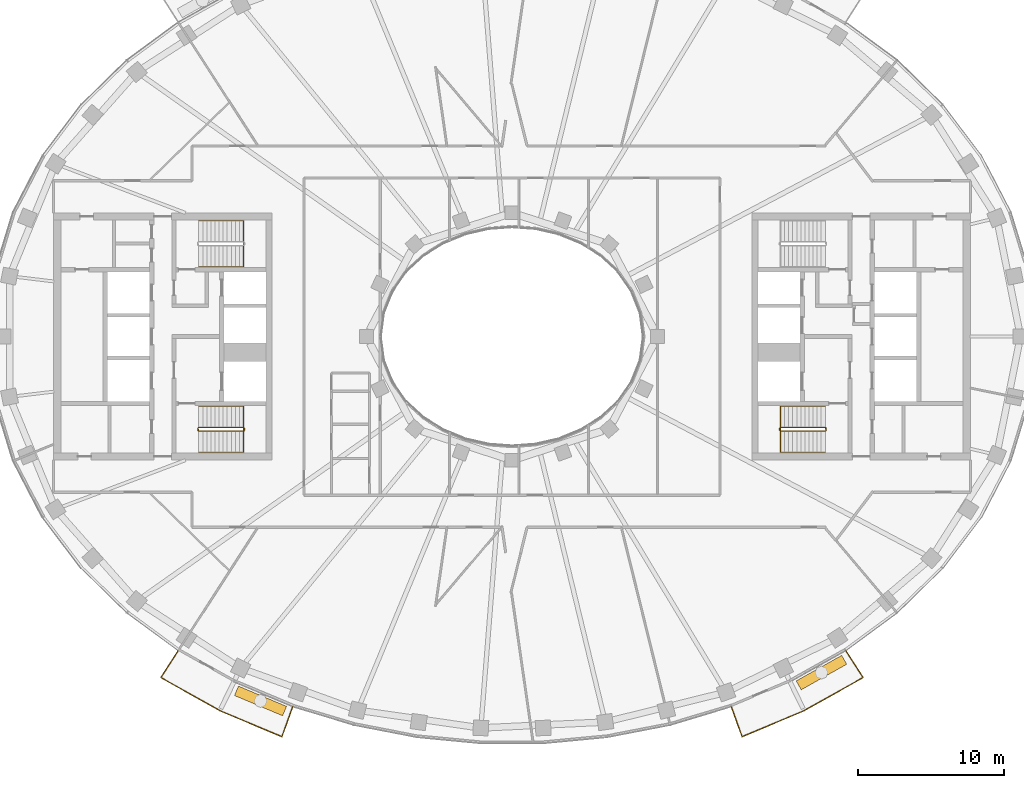
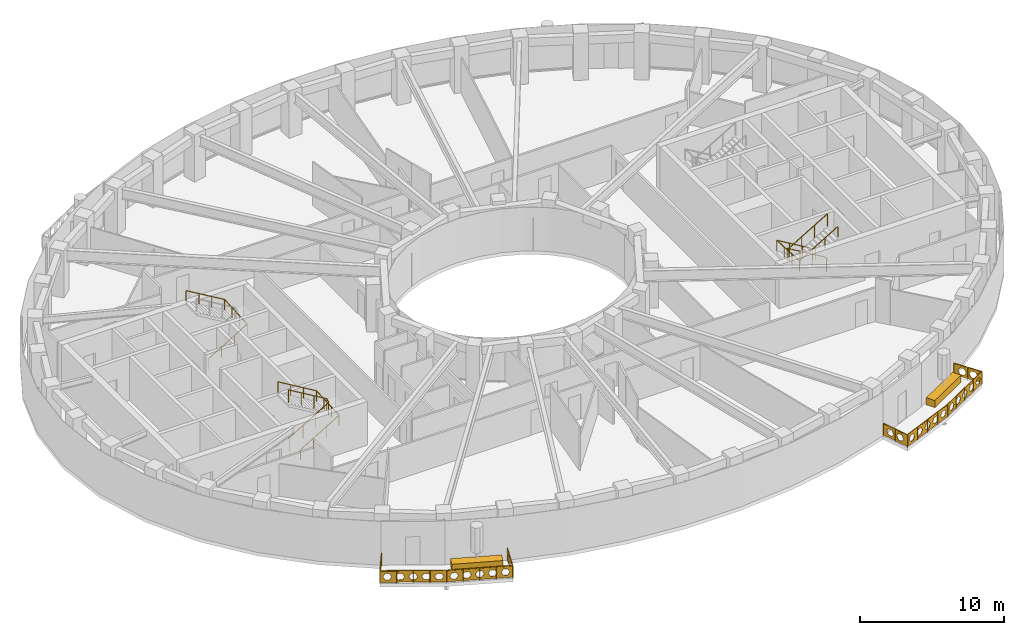
# One storey, part 13 of 15: 7 railings, 2 coverings.
"""IFC4 building model written with IfcOpenShell, lengths in metres."""

import ifcopenshell
import ifcopenshell.guid

model = None  # the IFC model being written
_history = None  # IfcOwnerHistory: only IFC2X3 demands one
_inside = {}  # id of a spatial element -> (the spatial element, [elements in it])
_under = {}  # id of a project, library or spatial element -> (it, [spatial elements below it])
_declared = {}  # id of a project -> (the project, [libraries it declares])
_typed = {}  # id of a type object -> (the type object, [elements of that type])
_made_of = {}  # id of a material, layer set ... -> (it, [elements and type objects made of it])


def new_model(schema):
    """Start an empty IFC model of exactly this schema.

    Asked for "IFC4X3", IfcOpenShell would pick the latest addendum, in which some entities
    have other attributes; the version numbers below select the first issue.
    IFC2X3 requires an IfcOwnerHistory on every rooted entity: one is made here for all.
    """
    global model, _history
    if schema == "IFC4X3":
        model = ifcopenshell.file(schema_version=(4, 3, 0, 0))
    else:
        model = ifcopenshell.file(schema=schema)
    _inside.clear()
    _under.clear()
    _declared.clear()
    _typed.clear()
    _made_of.clear()
    _history = None
    if model.schema == "IFC2X3":
        org = make("IfcOrganization", Name="unknown")
        user = make(
            "IfcPersonAndOrganization",
            ThePerson=make("IfcPerson", FamilyName="unknown"),
            TheOrganization=org,
        )
        app = make(
            "IfcApplication",
            ApplicationDeveloper=org,
            Version="unknown",
            ApplicationFullName="unknown",
            ApplicationIdentifier="unknown",
        )
        _history = make(
            "IfcOwnerHistory",
            OwningUser=user,
            OwningApplication=app,
            ChangeAction="ADDED",
            CreationDate=0,
        )
    return model


def make(cls, **values):
    """One entity of the class cls with the attributes given. An attribute that is None is left unset."""
    return model.create_entity(
        cls, **{name: value for name, value in values.items() if value is not None}
    )


def rooted(cls, **values):
    """An entity with a GlobalId (a new one), such as an element, a storey or a relation."""
    return make(cls, GlobalId=ifcopenshell.guid.new(), OwnerHistory=_history, **values)


def si_unit(unit_type, name, prefix=None):
    """IfcSIUnit, for example si_unit("LENGTHUNIT", "METRE", prefix="MILLI")."""
    return make("IfcSIUnit", UnitType=unit_type, Prefix=prefix, Name=name)


def assignment(units):
    """IfcUnitAssignment: the units of a project."""
    return None if units is None else make("IfcUnitAssignment", Units=units)


def point(xyz):
    """IfcCartesianPoint."""
    return None if xyz is None else make("IfcCartesianPoint", Coordinates=xyz)


def direction(xyz):
    """IfcDirection."""
    return None if xyz is None else make("IfcDirection", DirectionRatios=xyz)


def frame(location, z_axis=None, x_axis=None):
    """IfcAxis2Placement3D, a coordinate frame: its origin and axes. An axis left out is left unset."""
    return make(
        "IfcAxis2Placement3D",
        Location=point(location),
        Axis=direction(z_axis),
        RefDirection=direction(x_axis),
    )


def frame_2d(location, x_axis=None):
    """IfcAxis2Placement2D, a coordinate frame in the plane: its origin and x axis."""
    return make(
        "IfcAxis2Placement2D", Location=point(location), RefDirection=direction(x_axis)
    )


def origin():
    """The frame at (0, 0, 0) with its axes left unset."""
    return frame((0.0, 0.0, 0.0))


def origin_2d():
    """The frame at (0, 0) in the plane with its x axis left unset."""
    return frame_2d((0.0, 0.0))


def place(relative_to, where):
    """IfcLocalPlacement: puts the frame where relative to a parent placement (None: the world)."""
    return make(
        "IfcLocalPlacement", PlacementRelTo=relative_to, RelativePlacement=where
    )


def context(
    kind, dimensions, precision=None, world=None, true_north=None, identifier=None
):
    """IfcGeometricRepresentationContext, for example the 3D "Model" context."""
    return make(
        "IfcGeometricRepresentationContext",
        ContextIdentifier=identifier,
        ContextType=kind,
        CoordinateSpaceDimension=dimensions,
        Precision=precision,
        WorldCoordinateSystem=world,
        TrueNorth=true_north,
    )


def subcontext(parent, identifier, kind, view, scale=None):
    """IfcGeometricRepresentationSubContext, for example "Body" below "Model"."""
    return make(
        "IfcGeometricRepresentationSubContext",
        ContextIdentifier=identifier,
        ContextType=kind,
        ParentContext=parent,
        TargetScale=scale,
        TargetView=view,
    )


def project(units=None, contexts=None):
    """IfcProject with its units and contexts."""
    return rooted(
        "IfcProject",
        Name="project",
        RepresentationContexts=contexts,
        UnitsInContext=assignment(units),
    )


def spatial(cls, under=None, at=None, **own):
    """A site, building, storey or space (cls), placed at a placement, below another one or the project."""
    s = rooted(cls, ObjectPlacement=at, **own)
    if under is not None:
        _under.setdefault(under.id(), (under, []))[1].append(s)
    return s


def polyline(points):
    """IfcPolyline through the points."""
    return make("IfcPolyline", Points=[point(p) for p in points])


def profile(cls, at=None, kind="AREA", **sizes):
    """A parametric profile (cls). Its sizes go by their IFC names, for example OverallWidth=200.0."""
    return make(cls, ProfileType=kind, Position=at, **sizes)


def rectangle(**sizes):
    """IfcRectangleProfileDef."""
    return profile("IfcRectangleProfileDef", **sizes)


def outline(outer, holes=None, kind="AREA"):
    """IfcArbitraryClosedProfileDef: a profile drawn as a closed curve; with holes, ...WithVoids."""
    if holes is None:
        return make("IfcArbitraryClosedProfileDef", ProfileType=kind, OuterCurve=outer)
    return make(
        "IfcArbitraryProfileDefWithVoids",
        ProfileType=kind,
        OuterCurve=outer,
        InnerCurves=holes,
    )


def extrude(swept, where, along, depth):
    """IfcExtrudedAreaSolid: the profile swept, set in the frame where, extruded along a direction by depth."""
    return make(
        "IfcExtrudedAreaSolid",
        SweptArea=swept,
        Position=where,
        ExtrudedDirection=direction(along),
        Depth=depth,
    )


def shape(context_of_items, identifier, shape_type, items):
    """IfcShapeRepresentation: the items that make up one representation, for example the "Body"."""
    return make(
        "IfcShapeRepresentation",
        ContextOfItems=context_of_items,
        RepresentationIdentifier=identifier,
        RepresentationType=shape_type,
        Items=items,
    )


def material(Name=None, Category=None):
    """IfcMaterial."""
    return make("IfcMaterial", Name=Name, Category=Category)


def made_of(thing, what):
    """Note that an element or type object is made of a material, layer set ...; save() writes the relation."""
    if what is not None:
        _made_of.setdefault(what.id(), (what, []))[1].append(thing)
    return thing


def type_object(cls, material=None, **own):
    """A type object (cls), such as IfcWallType, which elements share."""
    return made_of(rooted(cls, **own), material)


def element(
    cls,
    number,
    at=None,
    inside=None,
    cuts=None,
    type_object=None,
    material=None,
    context=None,
    identifier="Body",
    shape_type=None,
    held_by="IfcProductDefinitionShape",
    body=None,
    shapes=None,
    **own,
):
    """One element of the class cls, such as IfcWall. Its Tag is "e" and its number.

    at: its placement. inside: the storey or other place that contains it. cuts: it is an
    opening in that element (IfcRelVoidsElement). A single representation is given by context,
    identifier, shape_type and body (its items); several are given by shapes. held_by: the class
    of the entity that holds the representations. save() writes the other relations.
    """
    e = rooted(cls, Tag="e%d" % number, ObjectPlacement=at, **own)
    if body is not None:
        shapes = [shape(context, identifier, shape_type, body)]
    if shapes is not None:
        e.Representation = make(held_by, Representations=shapes)
    if inside is not None:
        _inside.setdefault(inside.id(), (inside, []))[1].append(e)
    if cuts is not None:
        rooted(
            "IfcRelVoidsElement", RelatingBuildingElement=cuts, RelatedOpeningElement=e
        )
    if type_object is not None:
        _typed.setdefault(type_object.id(), (type_object, []))[1].append(e)
    return made_of(e, material)


def aggregate(whole, parts):
    """IfcRelAggregates: a whole, such as a stair, and the parts it consists of."""
    return rooted("IfcRelAggregates", RelatingObject=whole, RelatedObjects=parts)


def save(model, path):
    """Write the relations noted so far, then the file.

    IfcRelAggregates (storeys below a building ...), IfcRelContainedInSpatialStructure (elements
    in a storey), IfcRelDefinesByType, IfcRelAssociatesMaterial and IfcRelDeclares: one each for
    every whole, place, type object, material and project.
    """
    for whole, parts in _under.values():
        aggregate(whole, parts)
    for where, things in _inside.values():
        rooted(
            "IfcRelContainedInSpatialStructure",
            RelatedElements=things,
            RelatingStructure=where,
        )
    for kind, things in _typed.values():
        rooted("IfcRelDefinesByType", RelatedObjects=things, RelatingType=kind)
    for what, things in _made_of.values():
        rooted("IfcRelAssociatesMaterial", RelatedObjects=things, RelatingMaterial=what)
    for by, libraries in _declared.values():
        rooted("IfcRelDeclares", RelatingContext=by, RelatedDefinitions=libraries)
    model.write(path)


model = new_model("IFC4")

# Units and contexts
model_context = context("Model", 3, precision=1e-05, world=origin(), true_north=direction((0.0, 1.0)))
body_context = subcontext(model_context, "Body", "Model", "MODEL_VIEW")
ifc_project = project(units=[si_unit("LENGTHUNIT", "METRE"), si_unit("AREAUNIT", "SQUARE_METRE"), si_unit("VOLUMEUNIT", "CUBIC_METRE"), si_unit("PLANEANGLEUNIT", "RADIAN"), si_unit("MASSUNIT", "GRAM", prefix="KILO")], contexts=[model_context])

# Site, building, storey
site_placement = place(None, origin())
site = spatial("IfcSite", under=ifc_project, at=site_placement, CompositionType="ELEMENT")
building_placement = place(site_placement, origin())
building = spatial("IfcBuilding", under=site, at=building_placement, Name="Noorbagh Ring Tower", CompositionType="ELEMENT")
storey_placement = place(building_placement, frame((0.0, 0.0, 265.5)))
storey = spatial("IfcBuildingStorey", under=building, at=storey_placement, Name="L56", CompositionType="ELEMENT", Elevation=265.5)

# Railings
ifc_material_1 = material(Name="Stainless steel", Category="steel")
railing_type_1 = type_object("IfcRailingType", Name="CORE-STAIR-GUARD", PredefinedType="GUARDRAIL", material=ifc_material_1)
railing_1_placement = place(storey_placement, frame((-21.580078125, -6.449951171875, 0.0)))
element("IfcRailing", 1, at=railing_1_placement, inside=storey, type_object=railing_type_1, Name="L56 ST2 stair guard", PredefinedType="GUARDRAIL", context=body_context, shape_type="SweptSolid", body=[
    extrude(rectangle(XDim=0.048095703125, YDim=0.048095703125, at=origin_2d()), frame((0.0, 0.0, 1.076171875), z_axis=(0.0, 1.0, 0.0), x_axis=(-1.0, 0.0, 0.0)), (0.0, 0.0, 1.0), 0.14990234375),
    extrude(rectangle(XDim=0.048095703125, YDim=0.048095703125, at=origin_2d()), frame((0.0, 0.14990234375, 1.076171875), z_axis=(0.188775798145, -0.754182335027, 0.628945707965), x_axis=(0.970072785993, 0.242814311512, 0.0)), (0.0, 0.0, 1.0), 0.26513671875),
    extrude(rectangle(XDim=0.048095703125, YDim=0.048095703125, at=origin_2d()), frame((0.050048828125, -0.050048828125, 1.24267578125), z_axis=(0.859308565015, 0.0, 0.511457515432), x_axis=(0.0, 1.0, 0.0)), (0.0, 0.0, 1.0), 3.58447265625),
    extrude(rectangle(XDim=0.048095703125, YDim=0.048095703125, at=origin_2d()), frame((3.130126953125, -0.050048828125, 3.076171875), z_axis=(0.707106781187, 0.707106781187, 0.0), x_axis=(-0.707106781187, 0.707106781187, 0.0)), (0.0, 0.0, 1.0), 0.07080078125),
    extrude(rectangle(XDim=0.048095703125, YDim=0.048095703125, at=origin_2d()), frame((3.18017578125, 0.0, 3.076171875), z_axis=(0.0, 1.0, 0.0), x_axis=(-1.0, 0.0, 0.0)), (0.0, 0.0, 1.0), 0.14990234375),
    extrude(rectangle(XDim=0.048095703125, YDim=0.048095703125, at=origin_2d()), frame((3.18017578125, 0.14990234375, 3.076171875), z_axis=(-0.27628659633, 0.27628659633, 0.920506074601), x_axis=(-0.707106781187, -0.707106781187, 0.0)), (0.0, 0.0, 1.0), 0.18115234375),
    extrude(rectangle(XDim=0.048095703125, YDim=0.048095703125, at=origin_2d()), frame((3.130126953125, 0.199951171875, 3.24267578125), z_axis=(-0.859308565015, 0.0, 0.511457515432), x_axis=(0.0, -1.0, 0.0)), (0.0, 0.0, 1.0), 3.58447265625),
    extrude(rectangle(XDim=0.0419921875, YDim=0.0419921875, at=origin_2d()), origin(), (0.0, 0.0, 1.0), 1.052001953125),
    extrude(rectangle(XDim=0.0419921875, YDim=0.0419921875, at=origin_2d()), frame((1.07666015625, -0.050048828125, 0.77783203125)), (0.0, 0.0, 1.0), 1.052001953125),
    extrude(rectangle(XDim=0.0419921875, YDim=0.0419921875, at=origin_2d()), frame((2.103515625, -0.050048828125, 1.388916015625)), (0.0, 0.0, 1.0), 1.052001953125),
    extrude(rectangle(XDim=0.0419921875, YDim=0.0419921875, at=origin_2d()), frame((3.130126953125, -0.050048828125, 2.0)), (0.0, 0.0, 1.0), 1.052001953125),
    extrude(rectangle(XDim=0.0419921875, YDim=0.0419921875, at=origin_2d()), frame((3.130126953125, 0.199951171875, 2.166748046875)), (0.0, 0.0, 1.0), 1.052001953125),
    extrude(rectangle(XDim=0.0419921875, YDim=0.0419921875, at=origin_2d()), frame((2.103515625, 0.199951171875, 2.77783203125)), (0.0, 0.0, 1.0), 1.052001953125),
    extrude(rectangle(XDim=0.0419921875, YDim=0.0419921875, at=origin_2d()), frame((1.07666015625, 0.199951171875, 3.388916015625)), (0.0, 0.0, 1.0), 1.052001953125),
    extrude(rectangle(XDim=0.0419921875, YDim=0.0419921875, at=origin_2d()), frame((0.050048828125, 0.199951171875, 4.0)), (0.0, 0.0, 1.0), 1.052001953125),
])
railing_2_placement = place(storey_placement, frame((21.580078125, -6.300048828125, 0.0)))
element("IfcRailing", 2, at=railing_2_placement, inside=storey, type_object=railing_type_1, Name="L56 ST4 stair guard", PredefinedType="GUARDRAIL", context=body_context, shape_type="SweptSolid", body=[
    extrude(rectangle(XDim=0.048095703125, YDim=0.048095703125, at=origin_2d()), frame((0.0, 0.0, 1.076171875), z_axis=(0.0, -1.0, 0.0), x_axis=(1.0, 0.0, 0.0)), (0.0, 0.0, 1.0), 0.14990234375),
    extrude(rectangle(XDim=0.048095703125, YDim=0.048095703125, at=origin_2d()), frame((0.0, -0.14990234375, 1.076171875), z_axis=(-0.188775798145, 0.754182335027, 0.628945707965), x_axis=(-0.970072785993, -0.242814311512, 0.0)), (0.0, 0.0, 1.0), 0.26513671875),
    extrude(rectangle(XDim=0.048095703125, YDim=0.048095703125, at=origin_2d()), frame((-0.050048828125, 0.050048828125, 1.24267578125), z_axis=(-0.859308565015, 0.0, 0.511457515432), x_axis=(0.0, -1.0, 0.0)), (0.0, 0.0, 1.0), 3.58447265625),
    extrude(rectangle(XDim=0.048095703125, YDim=0.048095703125, at=origin_2d()), frame((-3.130126953125, 0.050048828125, 3.076171875), z_axis=(-0.707106781187, -0.707106781187, 0.0), x_axis=(0.707106781187, -0.707106781187, 0.0)), (0.0, 0.0, 1.0), 0.07080078125),
    extrude(rectangle(XDim=0.048095703125, YDim=0.048095703125, at=origin_2d()), frame((-3.18017578125, 0.0, 3.076171875), z_axis=(0.0, -1.0, 0.0), x_axis=(1.0, 0.0, 0.0)), (0.0, 0.0, 1.0), 0.14990234375),
    extrude(rectangle(XDim=0.048095703125, YDim=0.048095703125, at=origin_2d()), frame((-3.18017578125, -0.14990234375, 3.076171875), z_axis=(0.27628659633, -0.27628659633, 0.920506074601), x_axis=(0.707106781187, 0.707106781187, 0.0)), (0.0, 0.0, 1.0), 0.18115234375),
    extrude(rectangle(XDim=0.048095703125, YDim=0.048095703125, at=origin_2d()), frame((-3.130126953125, -0.199951171875, 3.24267578125), z_axis=(0.859308565015, 0.0, 0.511457515432), x_axis=(0.0, 1.0, 0.0)), (0.0, 0.0, 1.0), 3.58447265625),
    extrude(rectangle(XDim=0.0419921875, YDim=0.0419921875, at=origin_2d()), origin(), (0.0, 0.0, 1.0), 1.052001953125),
    extrude(rectangle(XDim=0.0419921875, YDim=0.0419921875, at=origin_2d()), frame((-1.07666015625, 0.050048828125, 0.77783203125)), (0.0, 0.0, 1.0), 1.052001953125),
    extrude(rectangle(XDim=0.0419921875, YDim=0.0419921875, at=origin_2d()), frame((-2.103515625, 0.050048828125, 1.388916015625)), (0.0, 0.0, 1.0), 1.052001953125),
    extrude(rectangle(XDim=0.0419921875, YDim=0.0419921875, at=origin_2d()), frame((-3.130126953125, 0.050048828125, 2.0)), (0.0, 0.0, 1.0), 1.052001953125),
    extrude(rectangle(XDim=0.0419921875, YDim=0.0419921875, at=origin_2d()), frame((-3.130126953125, -0.199951171875, 2.166748046875)), (0.0, 0.0, 1.0), 1.052001953125),
    extrude(rectangle(XDim=0.0419921875, YDim=0.0419921875, at=origin_2d()), frame((-2.103515625, -0.199951171875, 2.77783203125)), (0.0, 0.0, 1.0), 1.052001953125),
    extrude(rectangle(XDim=0.0419921875, YDim=0.0419921875, at=origin_2d()), frame((-1.07666015625, -0.199951171875, 3.388916015625)), (0.0, 0.0, 1.0), 1.052001953125),
    extrude(rectangle(XDim=0.0419921875, YDim=0.0419921875, at=origin_2d()), frame((-0.050048828125, -0.199951171875, 4.0)), (0.0, 0.0, 1.0), 1.052001953125),
])
ifc_material_2 = material(Name="Stainless steel", Category="steel")
railing_type_2 = type_object("IfcRailingType", Name="CORE-STAIR-HANDRAIL", PredefinedType="HANDRAIL", material=ifc_material_2)
railing_3_placement = place(storey_placement, frame((-21.530029296875, 4.800048828125, 0.166748046875)))
element("IfcRailing", 3, at=railing_3_placement, inside=storey, type_object=railing_type_2, Name="L56 ST1 stair handrail", PredefinedType="HANDRAIL", context=body_context, shape_type="SweptSolid", body=[
    extrude(rectangle(XDim=0.048095703125, YDim=0.048095703125, at=origin_2d()), frame((0.0, 0.0, 0.8759765625), z_axis=(0.859308565015, 0.0, 0.511457515432), x_axis=(0.0, 1.0, 0.0)), (0.0, 0.0, 1.0), 3.58447265625),
    extrude(rectangle(XDim=0.048095703125, YDim=0.048095703125, at=origin_2d()), frame((3.080078125, 0.0, 2.708984375), z_axis=(0.0, 0.998601747152, 0.052863509014), x_axis=(-1.0, 0.0, 0.0)), (0.0, 0.0, 1.0), 3.154296875),
    extrude(rectangle(XDim=0.048095703125, YDim=0.048095703125, at=origin_2d()), frame((3.080078125, 3.14990234375, 2.8759765625), z_axis=(-0.859308565015, 0.0, 0.511457515432), x_axis=(0.0, -1.0, 0.0)), (0.0, 0.0, 1.0), 3.58447265625),
    extrude(rectangle(XDim=0.0419921875, YDim=0.0419921875, at=origin_2d()), origin(), (0.0, 0.0, 1.0), 0.851806640625),
    extrude(rectangle(XDim=0.0419921875, YDim=0.0419921875, at=origin_2d()), frame((1.026611328125, 0.0, 0.611083984375)), (0.0, 0.0, 1.0), 0.851806640625),
    extrude(rectangle(XDim=0.0419921875, YDim=0.0419921875, at=origin_2d()), frame((2.053466796875, 0.0, 1.22216796875)), (0.0, 0.0, 1.0), 0.851806640625),
    extrude(rectangle(XDim=0.0419921875, YDim=0.0419921875, at=origin_2d()), frame((3.080078125, 0.0, 1.833251953125)), (0.0, 0.0, 1.0), 0.851806640625),
    extrude(rectangle(XDim=0.0419921875, YDim=0.0419921875, at=origin_2d()), frame((3.080078125, 1.050048828125, 1.888916015625)), (0.0, 0.0, 1.0), 0.851806640625),
    extrude(rectangle(XDim=0.0419921875, YDim=0.0419921875, at=origin_2d()), frame((3.080078125, 2.099853515625, 1.9443359375)), (0.0, 0.0, 1.0), 0.851806640625),
    extrude(rectangle(XDim=0.0419921875, YDim=0.0419921875, at=origin_2d()), frame((3.080078125, 3.14990234375, 2.0)), (0.0, 0.0, 1.0), 0.851806640625),
    extrude(rectangle(XDim=0.0419921875, YDim=0.0419921875, at=origin_2d()), frame((2.053466796875, 3.14990234375, 2.611083984375)), (0.0, 0.0, 1.0), 0.851806640625),
    extrude(rectangle(XDim=0.0419921875, YDim=0.0419921875, at=origin_2d()), frame((1.026611328125, 3.14990234375, 3.22216796875)), (0.0, 0.0, 1.0), 0.851806640625),
    extrude(rectangle(XDim=0.0419921875, YDim=0.0419921875, at=origin_2d()), frame((0.0, 3.14990234375, 3.833251953125)), (0.0, 0.0, 1.0), 0.851806640625),
])
railing_4_placement = place(storey_placement, frame((-21.530029296875, -7.949951171875, 0.166748046875)))
element("IfcRailing", 4, at=railing_4_placement, inside=storey, type_object=railing_type_2, Name="L56 ST2 stair handrail", PredefinedType="HANDRAIL", context=body_context, shape_type="SweptSolid", body=[
    extrude(rectangle(XDim=0.048095703125, YDim=0.048095703125, at=origin_2d()), frame((0.0, 0.0, 0.8759765625), z_axis=(0.859308565015, 0.0, 0.511457515432), x_axis=(0.0, 1.0, 0.0)), (0.0, 0.0, 1.0), 3.58447265625),
    extrude(rectangle(XDim=0.048095703125, YDim=0.048095703125, at=origin_2d()), frame((3.080078125, 0.0, 2.708984375), z_axis=(0.0, 0.998601747152, 0.052863509014), x_axis=(-1.0, 0.0, 0.0)), (0.0, 0.0, 1.0), 3.154296875),
    extrude(rectangle(XDim=0.048095703125, YDim=0.048095703125, at=origin_2d()), frame((3.080078125, 3.14990234375, 2.8759765625), z_axis=(-0.859308565015, 0.0, 0.511457515432), x_axis=(0.0, -1.0, 0.0)), (0.0, 0.0, 1.0), 3.58447265625),
    extrude(rectangle(XDim=0.0419921875, YDim=0.0419921875, at=origin_2d()), origin(), (0.0, 0.0, 1.0), 0.851806640625),
    extrude(rectangle(XDim=0.0419921875, YDim=0.0419921875, at=origin_2d()), frame((1.026611328125, 0.0, 0.611083984375)), (0.0, 0.0, 1.0), 0.851806640625),
    extrude(rectangle(XDim=0.0419921875, YDim=0.0419921875, at=origin_2d()), frame((2.053466796875, 0.0, 1.22216796875)), (0.0, 0.0, 1.0), 0.851806640625),
    extrude(rectangle(XDim=0.0419921875, YDim=0.0419921875, at=origin_2d()), frame((3.080078125, 0.0, 1.833251953125)), (0.0, 0.0, 1.0), 0.851806640625),
    extrude(rectangle(XDim=0.0419921875, YDim=0.0419921875, at=origin_2d()), frame((3.080078125, 1.050048828125, 1.888916015625)), (0.0, 0.0, 1.0), 0.851806640625),
    extrude(rectangle(XDim=0.0419921875, YDim=0.0419921875, at=origin_2d()), frame((3.080078125, 2.099853515625, 1.9443359375)), (0.0, 0.0, 1.0), 0.851806640625),
    extrude(rectangle(XDim=0.0419921875, YDim=0.0419921875, at=origin_2d()), frame((3.080078125, 3.14990234375, 2.0)), (0.0, 0.0, 1.0), 0.851806640625),
    extrude(rectangle(XDim=0.0419921875, YDim=0.0419921875, at=origin_2d()), frame((2.053466796875, 3.14990234375, 2.611083984375)), (0.0, 0.0, 1.0), 0.851806640625),
    extrude(rectangle(XDim=0.0419921875, YDim=0.0419921875, at=origin_2d()), frame((1.026611328125, 3.14990234375, 3.22216796875)), (0.0, 0.0, 1.0), 0.851806640625),
    extrude(rectangle(XDim=0.0419921875, YDim=0.0419921875, at=origin_2d()), frame((0.0, 3.14990234375, 3.833251953125)), (0.0, 0.0, 1.0), 0.851806640625),
])
railing_5_placement = place(storey_placement, frame((21.530029296875, -4.800048828125, 0.166748046875)))
element("IfcRailing", 5, at=railing_5_placement, inside=storey, type_object=railing_type_2, Name="L56 ST4 stair handrail", PredefinedType="HANDRAIL", context=body_context, shape_type="SweptSolid", body=[
    extrude(rectangle(XDim=0.048095703125, YDim=0.048095703125, at=origin_2d()), frame((0.0, 0.0, 0.8759765625), z_axis=(-0.859308565015, 0.0, 0.511457515432), x_axis=(0.0, -1.0, 0.0)), (0.0, 0.0, 1.0), 3.58447265625),
    extrude(rectangle(XDim=0.048095703125, YDim=0.048095703125, at=origin_2d()), frame((-3.080078125, 0.0, 2.708984375), z_axis=(0.0, -0.998601747152, 0.052863509014), x_axis=(1.0, 0.0, 0.0)), (0.0, 0.0, 1.0), 3.154296875),
    extrude(rectangle(XDim=0.048095703125, YDim=0.048095703125, at=origin_2d()), frame((-3.080078125, -3.14990234375, 2.8759765625), z_axis=(0.859308565015, 0.0, 0.511457515432), x_axis=(0.0, 1.0, 0.0)), (0.0, 0.0, 1.0), 3.58447265625),
    extrude(rectangle(XDim=0.0419921875, YDim=0.0419921875, at=origin_2d()), origin(), (0.0, 0.0, 1.0), 0.851806640625),
    extrude(rectangle(XDim=0.0419921875, YDim=0.0419921875, at=origin_2d()), frame((-1.026611328125, 0.0, 0.611083984375)), (0.0, 0.0, 1.0), 0.851806640625),
    extrude(rectangle(XDim=0.0419921875, YDim=0.0419921875, at=origin_2d()), frame((-2.053466796875, 0.0, 1.22216796875)), (0.0, 0.0, 1.0), 0.851806640625),
    extrude(rectangle(XDim=0.0419921875, YDim=0.0419921875, at=origin_2d()), frame((-3.080078125, 0.0, 1.833251953125)), (0.0, 0.0, 1.0), 0.851806640625),
    extrude(rectangle(XDim=0.0419921875, YDim=0.0419921875, at=origin_2d()), frame((-3.080078125, -1.050048828125, 1.888916015625)), (0.0, 0.0, 1.0), 0.851806640625),
    extrude(rectangle(XDim=0.0419921875, YDim=0.0419921875, at=origin_2d()), frame((-3.080078125, -2.099853515625, 1.9443359375)), (0.0, 0.0, 1.0), 0.851806640625),
    extrude(rectangle(XDim=0.0419921875, YDim=0.0419921875, at=origin_2d()), frame((-3.080078125, -3.14990234375, 2.0)), (0.0, 0.0, 1.0), 0.851806640625),
    extrude(rectangle(XDim=0.0419921875, YDim=0.0419921875, at=origin_2d()), frame((-2.053466796875, -3.14990234375, 2.611083984375)), (0.0, 0.0, 1.0), 0.851806640625),
    extrude(rectangle(XDim=0.0419921875, YDim=0.0419921875, at=origin_2d()), frame((-1.026611328125, -3.14990234375, 3.22216796875)), (0.0, 0.0, 1.0), 0.851806640625),
    extrude(rectangle(XDim=0.0419921875, YDim=0.0419921875, at=origin_2d()), frame((0.0, -3.14990234375, 3.833251953125)), (0.0, 0.0, 1.0), 0.851806640625),
])
ifc_material_3 = material(Name="Steel S275 black powder-coated", Category="steel")
railing_type_3 = type_object("IfcRailingType", Name="ENV-GUARD", PredefinedType="GUARDRAIL", material=ifc_material_3)
railing_6_placement = place(storey_placement, frame((-22.9326171875, -21.583740234375, 0.0)))
element("IfcRailing", 6, at=railing_6_placement, inside=storey, type_object=railing_type_3, Name="Balcony guard BS02", PredefinedType="GUARDRAIL", context=body_context, shape_type="SweptSolid", body=[
    extrude(rectangle(XDim=0.048095703125, YDim=0.048095703125, at=origin_2d()), frame((0.0, 0.0, 1.076171875), z_axis=(-0.542268136821, -0.840205491406, 0.0), x_axis=(0.840205491406, -0.542268136821, 0.0)), (0.0, 0.0, 1.0), 2.204345703125),
    extrude(rectangle(XDim=0.048095703125, YDim=0.048095703125, at=origin_2d()), frame((-1.1953125, -1.85205078125, 1.076171875), z_axis=(0.872052247658, -0.489412788303, 0.0), x_axis=(0.489412788303, 0.872052247658, 0.0)), (0.0, 0.0, 1.0), 4.646240234375),
    extrude(rectangle(XDim=0.048095703125, YDim=0.048095703125, at=origin_2d()), frame((2.8564453125, -4.1259765625, 1.076171875), z_axis=(0.921809087722, -0.387644174203, 0.0), x_axis=(0.387644174203, 0.921809087722, 0.0)), (0.0, 0.0, 1.0), 4.627197265625),
    extrude(rectangle(XDim=0.048095703125, YDim=0.048095703125, at=origin_2d()), frame((7.121826171875, -5.919677734375, 1.076171875), z_axis=(0.338350546839, 0.941020141896, 0.0), x_axis=(-0.941020141896, 0.338350546839, 0.0)), (0.0, 0.0, 1.0), 2.202880859375),
    extrude(rectangle(XDim=0.0419921875, YDim=0.0419921875, at=origin_2d()), origin(), (0.0, 0.0, 1.0), 1.052001953125),
    extrude(rectangle(XDim=0.0419921875, YDim=0.0419921875, at=origin_2d()), frame((-0.59765625, -0.926025390625, 0.0)), (0.0, 0.0, 1.0), 1.052001953125),
    extrude(rectangle(XDim=0.0419921875, YDim=0.0419921875, at=origin_2d()), frame((-1.1953125, -1.85205078125, 0.0)), (0.0, 0.0, 1.0), 1.052001953125),
    extrude(rectangle(XDim=0.0419921875, YDim=0.0419921875, at=origin_2d()), frame((-0.182373046875, -2.42041015625, 0.0)), (0.0, 0.0, 1.0), 1.052001953125),
    extrude(rectangle(XDim=0.0419921875, YDim=0.0419921875, at=origin_2d()), frame((0.83056640625, -2.989013671875, 0.0)), (0.0, 0.0, 1.0), 1.052001953125),
    extrude(rectangle(XDim=0.0419921875, YDim=0.0419921875, at=origin_2d()), frame((1.843505859375, -3.5576171875, 0.0)), (0.0, 0.0, 1.0), 1.052001953125),
    extrude(rectangle(XDim=0.0419921875, YDim=0.0419921875, at=origin_2d()), frame((2.8564453125, -4.1259765625, 0.0)), (0.0, 0.0, 1.0), 1.052001953125),
    extrude(rectangle(XDim=0.0419921875, YDim=0.0419921875, at=origin_2d()), frame((3.9228515625, -4.574462890625, 0.0)), (0.0, 0.0, 1.0), 1.052001953125),
    extrude(rectangle(XDim=0.0419921875, YDim=0.0419921875, at=origin_2d()), frame((4.9892578125, -5.02294921875, 0.0)), (0.0, 0.0, 1.0), 1.052001953125),
    extrude(rectangle(XDim=0.0419921875, YDim=0.0419921875, at=origin_2d()), frame((6.055419921875, -5.47119140625, 0.0)), (0.0, 0.0, 1.0), 1.052001953125),
    extrude(rectangle(XDim=0.0419921875, YDim=0.0419921875, at=origin_2d()), frame((7.121826171875, -5.919677734375, 0.0)), (0.0, 0.0, 1.0), 1.052001953125),
    extrude(rectangle(XDim=0.0419921875, YDim=0.0419921875, at=origin_2d()), frame((7.49462890625, -4.88330078125, 0.0)), (0.0, 0.0, 1.0), 1.052001953125),
    extrude(rectangle(XDim=0.0419921875, YDim=0.0419921875, at=origin_2d()), frame((7.8671875, -3.8466796875, 0.0)), (0.0, 0.0, 1.0), 1.052001953125),
    extrude(outline(polyline([(0.0, 0.10009765625), (2.204345703125, 0.10009765625), (2.204345703125, 1.031982421875), (0.0, 1.031982421875), (0.0, 0.10009765625)]), holes=[polyline([(0.962158203125, 0.56591796875), (0.80712890625, 0.83447265625), (0.4970703125, 0.83447265625), (0.342041015625, 0.56591796875), (0.4970703125, 0.297607421875), (0.80712890625, 0.297607421875), (0.962158203125, 0.56591796875)]), polyline([(1.862060546875, 0.56591796875), (1.70703125, 0.83447265625), (1.397216796875, 0.83447265625), (1.2421875, 0.56591796875), (1.397216796875, 0.297607421875), (1.70703125, 0.297607421875), (1.862060546875, 0.56591796875)])]), frame((0.00830078125, -0.00537109375, 0.0), z_axis=(-0.840205491406, 0.542268136821, 0.0), x_axis=(-0.542268136821, -0.840205491406, 0.0)), (0.0, 0.0, 1.0), 0.02001953125),
    extrude(outline(polyline([(0.0, 0.10009765625), (4.646240234375, 0.10009765625), (4.646240234375, 1.031982421875), (0.0, 1.031982421875), (0.0, 0.10009765625)]), holes=[polyline([(0.8330078125, 0.56591796875), (0.67822265625, 0.83447265625), (0.3681640625, 0.83447265625), (0.213134765625, 0.56591796875), (0.3681640625, 0.297607421875), (0.67822265625, 0.297607421875), (0.8330078125, 0.56591796875)]), polyline([(1.733154296875, 0.56591796875), (1.578125, 0.83447265625), (1.26806640625, 0.83447265625), (1.113037109375, 0.56591796875), (1.26806640625, 0.297607421875), (1.578125, 0.297607421875), (1.733154296875, 0.56591796875)]), polyline([(2.633056640625, 0.56591796875), (2.47802734375, 0.83447265625), (2.168212890625, 0.83447265625), (2.01318359375, 0.56591796875), (2.168212890625, 0.297607421875), (2.47802734375, 0.297607421875), (2.633056640625, 0.56591796875)]), polyline([(3.533203125, 0.56591796875), (3.378173828125, 0.83447265625), (3.068115234375, 0.83447265625), (2.9130859375, 0.56591796875), (3.068115234375, 0.297607421875), (3.378173828125, 0.297607421875), (3.533203125, 0.56591796875)]), polyline([(4.43310546875, 0.56591796875), (4.278076171875, 0.83447265625), (3.968017578125, 0.83447265625), (3.813232421875, 0.56591796875), (3.968017578125, 0.297607421875), (4.278076171875, 0.297607421875), (4.43310546875, 0.56591796875)])]), frame((-1.1904296875, -1.84326171875, 0.0), z_axis=(-0.489412788303, -0.872052247658, 0.0), x_axis=(0.872052247658, -0.489412788303, 0.0)), (0.0, 0.0, 1.0), 0.02001953125),
    extrude(outline(polyline([(0.0, 0.10009765625), (4.627197265625, 0.10009765625), (4.627197265625, 1.031982421875), (0.0, 1.031982421875), (0.0, 0.10009765625)]), holes=[polyline([(0.823486328125, 0.56591796875), (0.668701171875, 0.83447265625), (0.358642578125, 0.83447265625), (0.20361328125, 0.56591796875), (0.358642578125, 0.297607421875), (0.668701171875, 0.297607421875), (0.823486328125, 0.56591796875)]), polyline([(1.7236328125, 0.56591796875), (1.568603515625, 0.83447265625), (1.258544921875, 0.83447265625), (1.103515625, 0.56591796875), (1.258544921875, 0.297607421875), (1.568603515625, 0.297607421875), (1.7236328125, 0.56591796875)]), polyline([(2.62353515625, 0.56591796875), (2.468505859375, 0.83447265625), (2.15869140625, 0.83447265625), (2.003662109375, 0.56591796875), (2.15869140625, 0.297607421875), (2.468505859375, 0.297607421875), (2.62353515625, 0.56591796875)]), polyline([(3.523681640625, 0.56591796875), (3.36865234375, 0.83447265625), (3.05859375, 0.83447265625), (2.903564453125, 0.56591796875), (3.05859375, 0.297607421875), (3.36865234375, 0.297607421875), (3.523681640625, 0.56591796875)]), polyline([(4.423583984375, 0.56591796875), (4.2685546875, 0.83447265625), (3.95849609375, 0.83447265625), (3.8037109375, 0.56591796875), (3.95849609375, 0.297607421875), (4.2685546875, 0.297607421875), (4.423583984375, 0.56591796875)])]), frame((2.8603515625, -4.11669921875, 0.0), z_axis=(-0.387644174203, -0.921809087722, 0.0), x_axis=(0.921809087722, -0.387644174203, 0.0)), (0.0, 0.0, 1.0), 0.02001953125),
    extrude(outline(polyline([(0.0, 0.10009765625), (2.202880859375, 0.10009765625), (2.202880859375, 1.031982421875), (0.0, 1.031982421875), (0.0, 0.10009765625)]), holes=[polyline([(0.96142578125, 0.56591796875), (0.806396484375, 0.83447265625), (0.49658203125, 0.83447265625), (0.341552734375, 0.56591796875), (0.49658203125, 0.297607421875), (0.806396484375, 0.297607421875), (0.96142578125, 0.56591796875)]), polyline([(1.861572265625, 0.56591796875), (1.70654296875, 0.83447265625), (1.396484375, 0.83447265625), (1.241455078125, 0.56591796875), (1.396484375, 0.297607421875), (1.70654296875, 0.297607421875), (1.861572265625, 0.56591796875)])]), frame((7.1123046875, -5.916259765625, 0.0), z_axis=(0.941020141896, -0.338350546839, 0.0), x_axis=(0.338350546839, 0.941020141896, 0.0)), (0.0, 0.0, 1.0), 0.02001953125),
])
railing_7_placement = place(storey_placement, frame((15.0654296875, -25.430419921875, 0.0)))
element("IfcRailing", 7, at=railing_7_placement, inside=storey, type_object=railing_type_3, Name="Balcony guard BS05", PredefinedType="GUARDRAIL", context=body_context, shape_type="SweptSolid", body=[
    extrude(rectangle(XDim=0.048095703125, YDim=0.048095703125, at=origin_2d()), frame((0.0, 0.0, 1.076171875), z_axis=(0.338350546839, -0.941020141896, 0.0), x_axis=(0.941020141896, 0.338350546839, 0.0)), (0.0, 0.0, 1.0), 2.202880859375),
    extrude(rectangle(XDim=0.048095703125, YDim=0.048095703125, at=origin_2d()), frame((0.745361328125, -2.072998046875, 1.076171875), z_axis=(0.921809087722, 0.387644174203, 0.0), x_axis=(-0.387644174203, 0.921809087722, 0.0)), (0.0, 0.0, 1.0), 4.627197265625),
    extrude(rectangle(XDim=0.048095703125, YDim=0.048095703125, at=origin_2d()), frame((5.0107421875, -0.279296875, 1.076171875), z_axis=(0.872052247658, 0.489412788303, 0.0), x_axis=(-0.489412788303, 0.872052247658, 0.0)), (0.0, 0.0, 1.0), 4.646240234375),
    extrude(rectangle(XDim=0.048095703125, YDim=0.048095703125, at=origin_2d()), frame((9.0625, 1.99462890625, 1.076171875), z_axis=(-0.542268136821, 0.840205491406, 0.0), x_axis=(-0.840205491406, -0.542268136821, 0.0)), (0.0, 0.0, 1.0), 2.204345703125),
    extrude(rectangle(XDim=0.0419921875, YDim=0.0419921875, at=origin_2d()), origin(), (0.0, 0.0, 1.0), 1.052001953125),
    extrude(rectangle(XDim=0.0419921875, YDim=0.0419921875, at=origin_2d()), frame((0.37255859375, -1.03662109375, 0.0)), (0.0, 0.0, 1.0), 1.052001953125),
    extrude(rectangle(XDim=0.0419921875, YDim=0.0419921875, at=origin_2d()), frame((0.745361328125, -2.072998046875, 0.0)), (0.0, 0.0, 1.0), 1.052001953125),
    extrude(rectangle(XDim=0.0419921875, YDim=0.0419921875, at=origin_2d()), frame((1.811767578125, -1.62451171875, 0.0)), (0.0, 0.0, 1.0), 1.052001953125),
    extrude(rectangle(XDim=0.0419921875, YDim=0.0419921875, at=origin_2d()), frame((2.8779296875, -1.17626953125, 0.0)), (0.0, 0.0, 1.0), 1.052001953125),
    extrude(rectangle(XDim=0.0419921875, YDim=0.0419921875, at=origin_2d()), frame((3.9443359375, -0.727783203125, 0.0)), (0.0, 0.0, 1.0), 1.052001953125),
    extrude(rectangle(XDim=0.0419921875, YDim=0.0419921875, at=origin_2d()), frame((5.0107421875, -0.279296875, 0.0)), (0.0, 0.0, 1.0), 1.052001953125),
    extrude(rectangle(XDim=0.0419921875, YDim=0.0419921875, at=origin_2d()), frame((6.023681640625, 0.2890625, 0.0)), (0.0, 0.0, 1.0), 1.052001953125),
    extrude(rectangle(XDim=0.0419921875, YDim=0.0419921875, at=origin_2d()), frame((7.03662109375, 0.857666015625, 0.0)), (0.0, 0.0, 1.0), 1.052001953125),
    extrude(rectangle(XDim=0.0419921875, YDim=0.0419921875, at=origin_2d()), frame((8.049560546875, 1.42626953125, 0.0)), (0.0, 0.0, 1.0), 1.052001953125),
    extrude(rectangle(XDim=0.0419921875, YDim=0.0419921875, at=origin_2d()), frame((9.0625, 1.99462890625, 0.0)), (0.0, 0.0, 1.0), 1.052001953125),
    extrude(rectangle(XDim=0.0419921875, YDim=0.0419921875, at=origin_2d()), frame((8.46484375, 2.920654296875, 0.0)), (0.0, 0.0, 1.0), 1.052001953125),
    extrude(rectangle(XDim=0.0419921875, YDim=0.0419921875, at=origin_2d()), frame((7.8671875, 3.8466796875, 0.0)), (0.0, 0.0, 1.0), 1.052001953125),
    extrude(outline(polyline([(0.0, 0.10009765625), (2.202880859375, 0.10009765625), (2.202880859375, 1.031982421875), (0.0, 1.031982421875), (0.0, 0.10009765625)]), holes=[polyline([(0.96142578125, 0.56591796875), (0.806396484375, 0.83447265625), (0.49658203125, 0.83447265625), (0.341552734375, 0.56591796875), (0.49658203125, 0.297607421875), (0.806396484375, 0.297607421875), (0.96142578125, 0.56591796875)]), polyline([(1.861572265625, 0.56591796875), (1.70654296875, 0.83447265625), (1.396484375, 0.83447265625), (1.241455078125, 0.56591796875), (1.396484375, 0.297607421875), (1.70654296875, 0.297607421875), (1.861572265625, 0.56591796875)])]), frame((0.009521484375, 0.00341796875, 0.0), z_axis=(-0.941020141896, -0.338350546839, 0.0), x_axis=(0.338350546839, -0.941020141896, 0.0)), (0.0, 0.0, 1.0), 0.02001953125),
    extrude(outline(polyline([(0.0, 0.10009765625), (4.627197265625, 0.10009765625), (4.627197265625, 1.031982421875), (0.0, 1.031982421875), (0.0, 0.10009765625)]), holes=[polyline([(0.823486328125, 0.56591796875), (0.668701171875, 0.83447265625), (0.358642578125, 0.83447265625), (0.20361328125, 0.56591796875), (0.358642578125, 0.297607421875), (0.668701171875, 0.297607421875), (0.823486328125, 0.56591796875)]), polyline([(1.7236328125, 0.56591796875), (1.568603515625, 0.83447265625), (1.258544921875, 0.83447265625), (1.103515625, 0.56591796875), (1.258544921875, 0.297607421875), (1.568603515625, 0.297607421875), (1.7236328125, 0.56591796875)]), polyline([(2.62353515625, 0.56591796875), (2.468505859375, 0.83447265625), (2.15869140625, 0.83447265625), (2.003662109375, 0.56591796875), (2.15869140625, 0.297607421875), (2.468505859375, 0.297607421875), (2.62353515625, 0.56591796875)]), polyline([(3.523681640625, 0.56591796875), (3.36865234375, 0.83447265625), (3.05859375, 0.83447265625), (2.903564453125, 0.56591796875), (3.05859375, 0.297607421875), (3.36865234375, 0.297607421875), (3.523681640625, 0.56591796875)]), polyline([(4.423583984375, 0.56591796875), (4.2685546875, 0.83447265625), (3.95849609375, 0.83447265625), (3.8037109375, 0.56591796875), (3.95849609375, 0.297607421875), (4.2685546875, 0.297607421875), (4.423583984375, 0.56591796875)])]), frame((0.741455078125, -2.063720703125, 0.0), z_axis=(0.387644174203, -0.921809087722, 0.0), x_axis=(0.921809087722, 0.387644174203, 0.0)), (0.0, 0.0, 1.0), 0.02001953125),
    extrude(outline(polyline([(0.0, 0.10009765625), (4.646240234375, 0.10009765625), (4.646240234375, 1.031982421875), (0.0, 1.031982421875), (0.0, 0.10009765625)]), holes=[polyline([(0.8330078125, 0.56591796875), (0.67822265625, 0.83447265625), (0.3681640625, 0.83447265625), (0.213134765625, 0.56591796875), (0.3681640625, 0.297607421875), (0.67822265625, 0.297607421875), (0.8330078125, 0.56591796875)]), polyline([(1.733154296875, 0.56591796875), (1.578125, 0.83447265625), (1.26806640625, 0.83447265625), (1.113037109375, 0.56591796875), (1.26806640625, 0.297607421875), (1.578125, 0.297607421875), (1.733154296875, 0.56591796875)]), polyline([(2.633056640625, 0.56591796875), (2.47802734375, 0.83447265625), (2.168212890625, 0.83447265625), (2.01318359375, 0.56591796875), (2.168212890625, 0.297607421875), (2.47802734375, 0.297607421875), (2.633056640625, 0.56591796875)]), polyline([(3.533203125, 0.56591796875), (3.378173828125, 0.83447265625), (3.068115234375, 0.83447265625), (2.9130859375, 0.56591796875), (3.068115234375, 0.297607421875), (3.378173828125, 0.297607421875), (3.533203125, 0.56591796875)]), polyline([(4.43310546875, 0.56591796875), (4.278076171875, 0.83447265625), (3.968017578125, 0.83447265625), (3.813232421875, 0.56591796875), (3.968017578125, 0.297607421875), (4.278076171875, 0.297607421875), (4.43310546875, 0.56591796875)])]), frame((5.005859375, -0.2705078125, 0.0), z_axis=(0.489412788303, -0.872052247658, 0.0), x_axis=(0.872052247658, 0.489412788303, 0.0)), (0.0, 0.0, 1.0), 0.02001953125),
    extrude(outline(polyline([(0.0, 0.10009765625), (2.204345703125, 0.10009765625), (2.204345703125, 1.031982421875), (0.0, 1.031982421875), (0.0, 0.10009765625)]), holes=[polyline([(0.962158203125, 0.56591796875), (0.80712890625, 0.83447265625), (0.4970703125, 0.83447265625), (0.342041015625, 0.56591796875), (0.4970703125, 0.297607421875), (0.80712890625, 0.297607421875), (0.962158203125, 0.56591796875)]), polyline([(1.862060546875, 0.56591796875), (1.70703125, 0.83447265625), (1.397216796875, 0.83447265625), (1.2421875, 0.56591796875), (1.397216796875, 0.297607421875), (1.70703125, 0.297607421875), (1.862060546875, 0.56591796875)])]), frame((9.05419921875, 1.9892578125, 0.0), z_axis=(0.840205491406, 0.542268136821, 0.0), x_axis=(-0.542268136821, 0.840205491406, 0.0)), (0.0, 0.0, 1.0), 0.02001953125),
])

# Coverings
ifc_material_4 = material(Name="Concrete C30/37 planter with soil", Category="concrete")
covering_type = type_object("IfcCoveringType", Name="ENV-PLANTER", PredefinedType="CLADDING", material=ifc_material_4)
covering_1_placement = place(storey_placement, frame((-17.280517578125, -25.041259765625, 0.0), z_axis=(0.0, 0.0, 1.0), x_axis=(0.921811566494, -0.387638279686, 0.0)))
element("IfcCovering", 8, at=covering_1_placement, inside=storey, type_object=covering_type, Name="PLANTER BS02", ObjectType="PLANTER", PredefinedType="CLADDING", context=body_context, shape_type="SweptSolid", body=[
    extrude(rectangle(XDim=3.5859375, YDim=0.699951171875, at=origin_2d()), origin(), (0.0, 0.0, 1.0), 0.60009765625),
])
covering_2_placement = place(storey_placement, frame((21.26513671875, -23.093017578125, 0.0), z_axis=(0.0, 0.0, 1.0), x_axis=(0.872044586249, 0.48942643941, 0.0)))
element("IfcCovering", 9, at=covering_2_placement, inside=storey, type_object=covering_type, Name="PLANTER BS05", ObjectType="PLANTER", PredefinedType="CLADDING", context=body_context, shape_type="SweptSolid", body=[
    extrude(rectangle(XDim=3.58544921875, YDim=0.699951171875, at=origin_2d()), origin(), (0.0, 0.0, 1.0), 0.60009765625),
])

save(model, "model.ifc")
